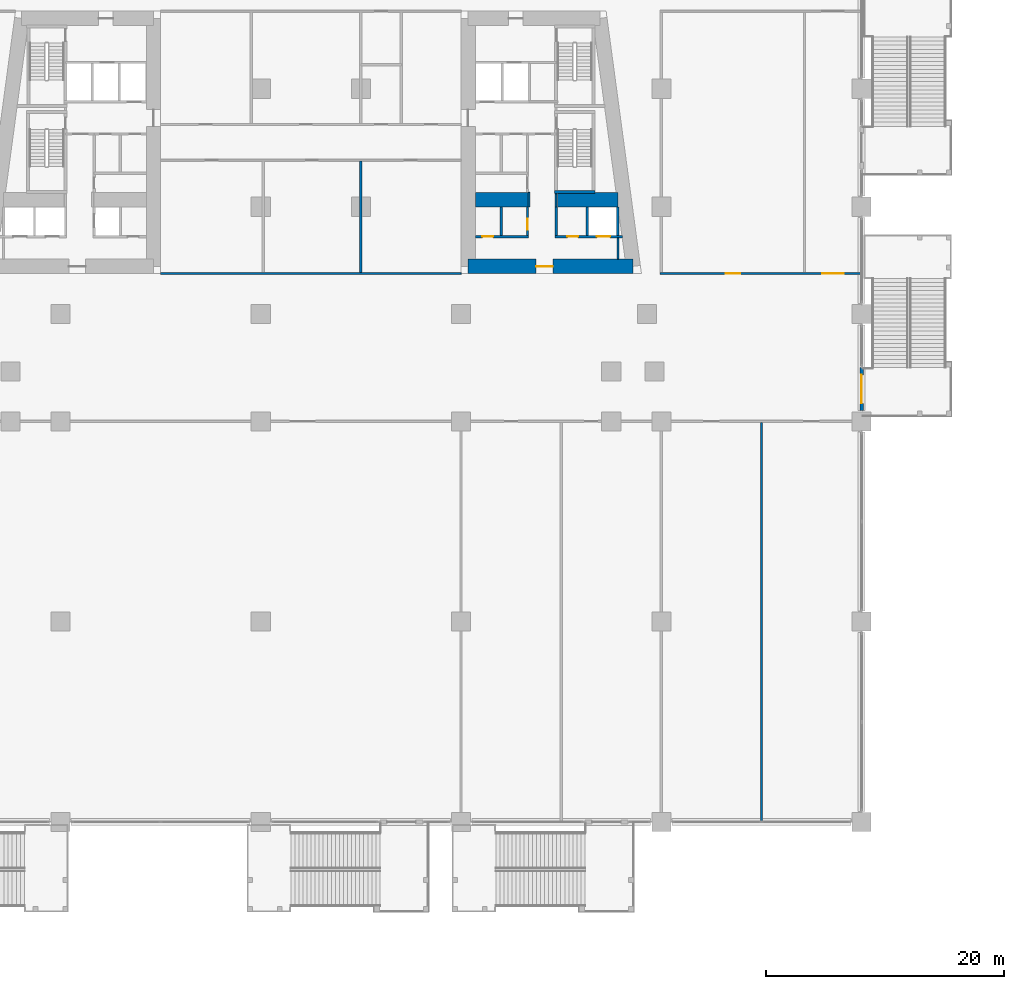
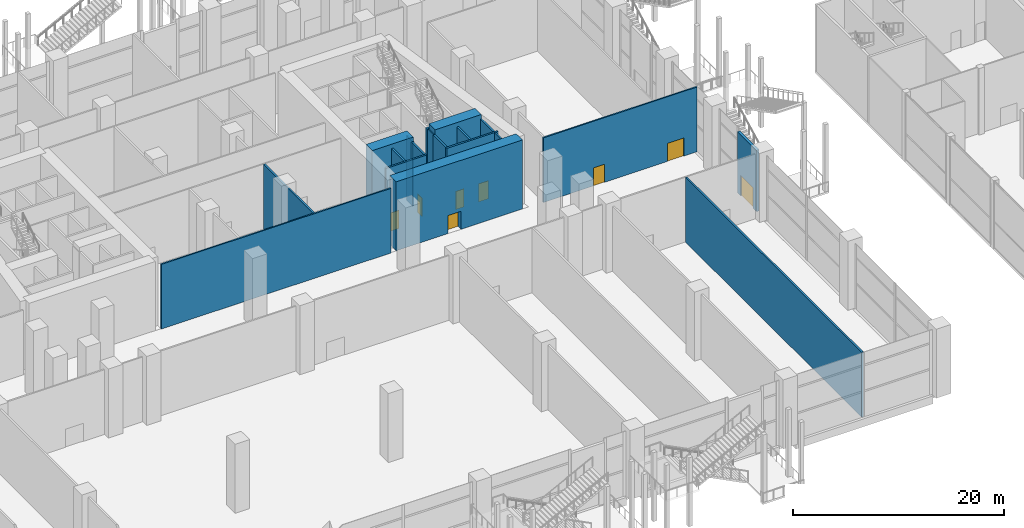
# One storey, part 26 of 52: 19 walls, 8 doors, 8 openings.
"""IFC4 building model written with IfcOpenShell, lengths in metres."""

from ifc_helpers import new_model, si_unit, direction, frame, frame_2d, origin, place, context, subcontext, project, spatial, rectangle, extrude, material, layer, layer_set, type_object, element, fill, save


model = new_model("IFC4")

# Units and contexts
model_context = context("Model", 3, precision=1e-05, world=origin(), true_north=direction((0.0, 1.0)))
body_context = subcontext(model_context, "Body", "Model", "MODEL_VIEW")
ifc_project = project(units=[si_unit("LENGTHUNIT", "METRE"), si_unit("AREAUNIT", "SQUARE_METRE"), si_unit("VOLUMEUNIT", "CUBIC_METRE"), si_unit("PLANEANGLEUNIT", "RADIAN"), si_unit("MASSUNIT", "GRAM", prefix="KILO")], contexts=[model_context])

# Site, building, storey
site_placement = place(None, origin())
site = spatial("IfcSite", under=ifc_project, at=site_placement, CompositionType="ELEMENT")
building_placement = place(site_placement, origin())
building = spatial("IfcBuilding", under=site, at=building_placement, Name="Candeia Pilgrim Tower and Theatre", CompositionType="ELEMENT")
storey_placement = place(building_placement, frame((0.0, 0.0, 9.0)))
storey = spatial("IfcBuildingStorey", under=building, at=storey_placement, Name="L01", CompositionType="ELEMENT", Elevation=9.0)

# Wall, opening, door
ifc_material_1 = material(Name="Concrete C80/95", Category="concrete")
ifc_layer_1 = layer(ifc_material_1, 1.199951171875)
ifc_layer_set_1 = layer_set([ifc_layer_1], Name="Core wall 1200 C80/95")
wall_type_1 = type_object("IfcWallType", Name="Core wall 1200 C80/95", PredefinedType="SHEAR", material=ifc_layer_set_1)
wall_1_placement = place(storey_placement, frame((140.444580078125, 111.0, 0.0), z_axis=(0.0, 0.0, 1.0), x_axis=(-1.0, 0.0, 0.0)))
wall_1 = element("IfcWall", 1, at=wall_1_placement, inside=storey, type_object=wall_type_1, Name="Core wall E3", PredefinedType="SHEAR", context=body_context, shape_type="SweptSolid", body=[
    extrude(rectangle(XDim=13.844482421875, YDim=1.199951171875, at=frame_2d((6.92236328125, 0.0))), origin(), (0.0, 0.0, 1.0), 8.0),
])
opening_1_placement = place(wall_1_placement, frame((6.751220703125, 0.0, 0.0)))
opening_1 = element("IfcOpeningElement", 2, at=opening_1_placement, cuts=wall_1, Name="Opening L01-D051", PredefinedType="OPENING", context=body_context, shape_type="SweptSolid", body=[
    extrude(rectangle(XDim=1.39990234375, YDim=2.10009765625, at=frame_2d((0.699951171875, 1.050048828125))), frame((0.0, 0.60986328125, 0.0), z_axis=(0.0, -1.0, 0.0), x_axis=(1.0, 0.0, 0.0)), (0.0, 0.0, 1.0), 1.219970703125),
])
ifc_material_2 = material(Name="Steel fire door set", Category="steel")
door_type_1 = type_object("IfcDoorType", Name="D-1400-FD60", OperationType="NOTDEFINED", PredefinedType="DOOR", material=ifc_material_2)
door_1_placement = place(opening_1_placement, origin())
door_1 = element("IfcDoor", 3, at=door_1_placement, inside=storey, type_object=door_type_1, Name="Door L01-D051", OperationType="SINGLE_SWING_RIGHT", OverallHeight=2.10009765625, OverallWidth=1.39990234375, PredefinedType="DOOR", context=body_context, shape_type="SweptSolid", body=[
    extrude(rectangle(XDim=1.39990234375, YDim=2.10009765625, at=frame_2d((0.699951171875, 1.050048828125))), frame((0.0, 0.02490234375, 0.0), z_axis=(0.0, -1.0, 0.0), x_axis=(1.0, 0.0, 0.0)), (0.0, 0.0, 1.0), 0.050048828125),
])
fill(opening_1, door_1)

# Walls
wall_2_placement = place(storey_placement, frame((127.199951171875, 116.60009765625, 0.0), z_axis=(0.0, 0.0, 1.0), x_axis=(1.0, 0.0, 0.0)))
element("IfcWall", 4, at=wall_2_placement, inside=storey, type_object=wall_type_1, Name="Core wall E5", PredefinedType="SHEAR", context=body_context, shape_type="SweptSolid", body=[
    extrude(rectangle(XDim=4.5, YDim=1.199951171875, at=frame_2d((2.25, 0.0))), origin(), (0.0, 0.0, 1.0), 8.0),
])
wall_3_placement = place(storey_placement, frame((134.10009765625, 116.60009765625, 0.0), z_axis=(0.0, 0.0, 1.0), x_axis=(1.0, 0.0, 0.0)))
element("IfcWall", 5, at=wall_3_placement, inside=storey, type_object=wall_type_1, Name="Core wall E6", PredefinedType="SHEAR", context=body_context, shape_type="SweptSolid", body=[
    extrude(rectangle(XDim=5.076904296875, YDim=1.199951171875, at=frame_2d((2.53857421875, 0.0))), origin(), (0.0, 0.0, 1.0), 8.0),
])

# Wall, opening, door
ifc_material_3 = material(Name="Ceramic block masonry", Category="masonry")
ifc_layer_2 = layer(ifc_material_3, 0.300048828125)
ifc_layer_set_2 = layer_set([ifc_layer_2], Name="EW2 entrance infill wall 300")
wall_type_2 = type_object("IfcWallType", Name="EW2 entrance infill wall 300", PredefinedType="SOLIDWALL", material=ifc_layer_set_2)
wall_4_placement = place(storey_placement, frame((159.60009765625, 102.5, 0.0), z_axis=(0.0, 0.0, 1.0), x_axis=(0.0, -1.0, 0.0)))
wall_4 = element("IfcWall", 6, at=wall_4_placement, inside=storey, type_object=wall_type_2, Name="Entrance wall L01", PredefinedType="SOLIDWALL", context=body_context, shape_type="SweptSolid", body=[
    extrude(rectangle(XDim=3.60009765625, YDim=0.300048828125, at=frame_2d((1.800048828125, 0.0))), origin(), (0.0, 0.0, 1.0), 7.10009765625),
])
opening_2_placement = place(wall_4_placement, frame((0.60009765625, 0.0, 0.0)))
opening_2 = element("IfcOpeningElement", 7, at=opening_2_placement, cuts=wall_4, Name="Opening L01-ED039", PredefinedType="OPENING", context=body_context, shape_type="SweptSolid", body=[
    extrude(rectangle(XDim=2.39990234375, YDim=2.39990234375, at=frame_2d((1.199951171875, 1.199951171875))), frame((0.0, 0.16015625, 0.0), z_axis=(0.0, -1.0, 0.0), x_axis=(1.0, 0.0, 0.0)), (0.0, 0.0, 1.0), 0.320068359375),
])
ifc_material_4 = material(Name="Aluminium framed glazed door", Category="aluminium")
door_type_2 = type_object("IfcDoorType", Name="ED entrance double door 2400x2400", OperationType="DOUBLE_DOOR_DOUBLE_SWING", PredefinedType="DOOR", material=ifc_material_4)
door_2_placement = place(opening_2_placement, origin())
door_2 = element("IfcDoor", 8, at=door_2_placement, inside=storey, type_object=door_type_2, Name="Entrance door L01-ED039", OperationType="DOUBLE_DOOR_DOUBLE_SWING", OverallHeight=2.39990234375, OverallWidth=2.39990234375, PredefinedType="DOOR", context=body_context, shape_type="SweptSolid", body=[
    extrude(rectangle(XDim=2.39990234375, YDim=2.39990234375, at=frame_2d((1.199951171875, 1.199951171875))), frame((0.0, 0.02490234375, 0.0), z_axis=(0.0, -1.0, 0.0), x_axis=(1.0, 0.0, 0.0)), (0.0, 0.0, 1.0), 0.050048828125),
])
fill(opening_2, door_2)

# Wall
ifc_material_5 = material(Name="Gypsum board partition on steel studs", Category="steel")
ifc_layer_3 = layer(ifc_material_5, 0.14990234375)
ifc_layer_set_3 = layer_set([ifc_layer_3], Name="PW-150 lobby wall")
wall_type_3 = type_object("IfcWallType", Name="PW-150 lobby wall", PredefinedType="PARTITIONING", material=ifc_layer_set_3)
wall_5_placement = place(storey_placement, frame((100.800048828125, 110.39990234375, 0.0), z_axis=(0.0, 0.0, 1.0), x_axis=(1.0, 0.0, 0.0)))
element("IfcWall", 9, at=wall_5_placement, inside=storey, type_object=wall_type_3, Name="Lobby wall L01-003", PredefinedType="PARTITIONING", context=body_context, shape_type="SweptSolid", body=[
    extrude(rectangle(XDim=25.199951171875, YDim=0.14990234375, at=frame_2d((12.60009765625, 0.0))), origin(), (0.0, 0.0, 1.0), 7.5),
])

# Wall, openings, doors
wall_6_placement = place(storey_placement, frame((142.699951171875, 110.39990234375, 0.0), z_axis=(0.0, 0.0, 1.0), x_axis=(1.0, 0.0, 0.0)))
wall_6 = element("IfcWall", 10, at=wall_6_placement, inside=storey, type_object=wall_type_3, Name="Lobby wall L01-004", PredefinedType="PARTITIONING", context=body_context, shape_type="SweptSolid", body=[
    extrude(rectangle(XDim=16.85009765625, YDim=0.14990234375, at=frame_2d((8.425048828125, 0.0))), origin(), (0.0, 0.0, 1.0), 7.5),
])
opening_3_placement = place(wall_6_placement, frame((5.5, 0.0, 0.0)))
opening_3 = element("IfcOpeningElement", 11, at=opening_3_placement, cuts=wall_6, Name="Opening L01-D011", PredefinedType="OPENING", context=body_context, shape_type="SweptSolid", body=[
    extrude(rectangle(XDim=1.199951171875, YDim=2.10009765625, at=frame_2d((0.60009765625, 1.050048828125))), frame((0.0, 0.0849609375, 0.0), z_axis=(0.0, -1.0, 0.0), x_axis=(1.0, 0.0, 0.0)), (0.0, 0.0, 1.0), 0.169921875),
])
opening_4_placement = place(wall_6_placement, frame((13.60009765625, 0.0, 0.0)))
opening_4 = element("IfcOpeningElement", 12, at=opening_4_placement, cuts=wall_6, Name="Opening L01-D030", PredefinedType="OPENING", context=body_context, shape_type="SweptSolid", body=[
    extrude(rectangle(XDim=1.800048828125, YDim=2.10009765625, at=frame_2d((0.89990234375, 1.050048828125))), frame((0.0, 0.0849609375, 0.0), z_axis=(0.0, -1.0, 0.0), x_axis=(1.0, 0.0, 0.0)), (0.0, 0.0, 1.0), 0.169921875),
])
door_type_3 = type_object("IfcDoorType", Name="D-1200-FD30S", OperationType="NOTDEFINED", PredefinedType="DOOR", material=ifc_material_2)
door_3_placement = place(opening_3_placement, origin())
door_3 = element("IfcDoor", 13, at=door_3_placement, inside=storey, type_object=door_type_3, Name="Door L01-D011", OperationType="SINGLE_SWING_RIGHT", OverallHeight=2.10009765625, OverallWidth=1.199951171875, PredefinedType="DOOR", context=body_context, shape_type="SweptSolid", body=[
    extrude(rectangle(XDim=1.199951171875, YDim=2.10009765625, at=frame_2d((0.60009765625, 1.050048828125))), frame((0.0, 0.02490234375, 0.0), z_axis=(0.0, -1.0, 0.0), x_axis=(1.0, 0.0, 0.0)), (0.0, 0.0, 1.0), 0.050048828125),
])
fill(opening_3, door_3)
door_type_4 = type_object("IfcDoorType", Name="D-1800-FD60", OperationType="NOTDEFINED", PredefinedType="DOOR", material=ifc_material_2)
door_4_placement = place(opening_4_placement, origin())
door_4 = element("IfcDoor", 14, at=door_4_placement, inside=storey, type_object=door_type_4, Name="Door L01-D030", OperationType="SINGLE_SWING_LEFT", OverallHeight=2.10009765625, OverallWidth=1.800048828125, PredefinedType="DOOR", context=body_context, shape_type="SweptSolid", body=[
    extrude(rectangle(XDim=1.800048828125, YDim=2.10009765625, at=frame_2d((0.89990234375, 1.050048828125))), frame((0.0, 0.02490234375, 0.0), z_axis=(0.0, -1.0, 0.0), x_axis=(1.0, 0.0, 0.0)), (0.0, 0.0, 1.0), 0.050048828125),
])
fill(opening_4, door_4)

# Walls
wall_7_placement = place(storey_placement, frame((131.699951171875, 116.0, 0.0), z_axis=(0.0, 0.0, 1.0), x_axis=(0.0, 1.0, 0.0)))
element("IfcWall", 15, at=wall_7_placement, inside=storey, type_object=wall_type_3, Name="Lobby wall L01-082", PredefinedType="PARTITIONING", context=body_context, shape_type="SweptSolid", body=[
    extrude(rectangle(XDim=1.199951171875, YDim=0.14990234375, at=frame_2d((0.60009765625, 0.0))), origin(), (0.0, 0.0, 1.0), 7.5),
])
wall_8_placement = place(storey_placement, frame((133.972900390625, 116.0, 0.0), z_axis=(0.0, 0.0, 1.0), x_axis=(0.0, 1.0, 0.0)))
element("IfcWall", 16, at=wall_8_placement, inside=storey, type_object=wall_type_3, Name="Lobby wall L01-085", PredefinedType="PARTITIONING", context=body_context, shape_type="SweptSolid", body=[
    extrude(rectangle(XDim=1.074951171875, YDim=0.14990234375, at=frame_2d((0.53759765625, 0.0))), origin(), (0.0, 0.0, 1.0), 7.5),
])
wall_9_placement = place(storey_placement, frame((139.1689453125, 111.60009765625, 0.0), z_axis=(0.0, 0.0, 1.0), x_axis=(0.0, 1.0, 0.0)))
element("IfcWall", 17, at=wall_9_placement, inside=storey, type_object=wall_type_3, Name="Lobby wall L01-094", PredefinedType="PARTITIONING", context=body_context, shape_type="SweptSolid", body=[
    extrude(rectangle(XDim=1.7998046875, YDim=0.14990234375, at=frame_2d((0.89990234375, 0.0))), origin(), (0.0, 0.0, 1.0), 7.5),
])
ifc_layer_4 = layer(ifc_material_5, 0.199951171875)
ifc_layer_set_4 = layer_set([ifc_layer_4], Name="PW-200 party wall")
wall_type_4 = type_object("IfcWallType", Name="PW-200 party wall", PredefinedType="PARTITIONING", material=ifc_layer_set_4)
wall_10_placement = place(storey_placement, frame((117.60009765625, 110.47509765625, 0.0), z_axis=(0.0, 0.0, 1.0), x_axis=(0.0, 1.0, 0.0)))
element("IfcWall", 18, at=wall_10_placement, inside=storey, type_object=wall_type_4, Name="Party wall L01-072", PredefinedType="PARTITIONING", context=body_context, shape_type="SweptSolid", body=[
    extrude(rectangle(XDim=9.349853515625, YDim=0.199951171875, at=frame_2d((4.6748046875, 0.0))), origin(), (0.0, 0.0, 1.0), 7.5),
])
wall_11_placement = place(storey_placement, frame((151.199951171875, 64.449951171875, 0.0), z_axis=(0.0, 0.0, 1.0), x_axis=(0.0, 1.0, 0.0)))
element("IfcWall", 19, at=wall_11_placement, inside=storey, type_object=wall_type_4, Name="Party wall L01-101", PredefinedType="PARTITIONING", context=body_context, shape_type="SweptSolid", body=[
    extrude(rectangle(XDim=33.47509765625, YDim=0.199951171875, at=frame_2d((16.737548828125, 0.0))), origin(), (0.0, 0.0, 1.0), 7.5),
])

# Wall, opening, door
ifc_material_6 = material(Name="Concrete C40/50", Category="concrete")
ifc_layer_5 = layer(ifc_material_6, 0.199951171875)
ifc_layer_set_5 = layer_set([ifc_layer_5], Name="SW-200 shaft wall")
wall_type_5 = type_object("IfcWallType", Name="SW-200 shaft wall", PredefinedType="PARTITIONING", material=ifc_layer_set_5)
wall_12_placement = place(storey_placement, frame((127.199951171875, 113.5, 0.0), z_axis=(0.0, 0.0, 1.0), x_axis=(1.0, 0.0, 0.0)))
wall_12 = element("IfcWall", 20, at=wall_12_placement, inside=storey, type_object=wall_type_5, Name="Shaft wall L01-007", PredefinedType="PARTITIONING", context=body_context, shape_type="SweptSolid", body=[
    extrude(rectangle(XDim=4.47314453125, YDim=0.199951171875, at=frame_2d((2.236572265625, 0.0))), origin(), (0.0, 0.0, 1.0), 7.5),
])
opening_5_placement = place(wall_12_placement, frame((0.5849609375, 0.0, 0.0)))
opening_5 = element("IfcOpeningElement", 21, at=opening_5_placement, cuts=wall_12, Name="Opening L01-D047", PredefinedType="OPENING", context=body_context, shape_type="SweptSolid", body=[
    extrude(rectangle(XDim=0.89990234375, YDim=2.10009765625, at=frame_2d((0.449951171875, 1.050048828125))), frame((0.0, 0.10986328125, 0.0), z_axis=(0.0, -1.0, 0.0), x_axis=(1.0, 0.0, 0.0)), (0.0, 0.0, 1.0), 0.219970703125),
])
door_type_5 = type_object("IfcDoorType", Name="D-900-FD60", OperationType="NOTDEFINED", PredefinedType="DOOR", material=ifc_material_2)
door_5_placement = place(opening_5_placement, origin())
door_5 = element("IfcDoor", 22, at=door_5_placement, inside=storey, type_object=door_type_5, Name="Door L01-D047", OperationType="SINGLE_SWING_RIGHT", OverallHeight=2.10009765625, OverallWidth=0.89990234375, PredefinedType="DOOR", context=body_context, shape_type="SweptSolid", body=[
    extrude(rectangle(XDim=0.89990234375, YDim=2.10009765625, at=frame_2d((0.449951171875, 1.050048828125))), frame((0.0, 0.02490234375, 0.0), z_axis=(0.0, -1.0, 0.0), x_axis=(1.0, 0.0, 0.0)), (0.0, 0.0, 1.0), 0.050048828125),
])
fill(opening_5, door_5)

# Wall, openings, doors
wall_13_placement = place(storey_placement, frame((133.873046875, 113.5, 0.0), z_axis=(0.0, 0.0, 1.0), x_axis=(1.0, 0.0, 0.0)))
wall_13 = element("IfcWall", 23, at=wall_13_placement, inside=storey, type_object=wall_type_5, Name="Shaft wall L01-008", PredefinedType="PARTITIONING", context=body_context, shape_type="SweptSolid", body=[
    extrude(rectangle(XDim=5.65966796875, YDim=0.199951171875, at=frame_2d((2.829833984375, 0.0))), origin(), (0.0, 0.0, 1.0), 7.5),
])
opening_6_placement = place(wall_13_placement, frame((3.527099609375, 0.0, 0.0)))
opening_6 = element("IfcOpeningElement", 24, at=opening_6_placement, cuts=wall_13, Name="Opening L01-LD08", PredefinedType="OPENING", context=body_context, shape_type="SweptSolid", body=[
    extrude(rectangle(XDim=1.10009765625, YDim=2.10009765625, at=frame_2d((0.550048828125, 1.050048828125))), frame((0.0, 0.10986328125, 0.0), z_axis=(0.0, -1.0, 0.0), x_axis=(1.0, 0.0, 0.0)), (0.0, 0.0, 1.0), 0.219970703125),
])
opening_7_placement = place(wall_13_placement, frame((1.049072265625, 0.0, 0.0)))
opening_7 = element("IfcOpeningElement", 25, at=opening_7_placement, cuts=wall_13, Name="Opening L01-D045", PredefinedType="OPENING", context=body_context, shape_type="SweptSolid", body=[
    extrude(rectangle(XDim=0.89990234375, YDim=2.10009765625, at=frame_2d((0.449951171875, 1.050048828125))), frame((0.0, 0.10986328125, 0.0), z_axis=(0.0, -1.0, 0.0), x_axis=(1.0, 0.0, 0.0)), (0.0, 0.0, 1.0), 0.219970703125),
])
door_6_placement = place(opening_7_placement, origin())
door_6 = element("IfcDoor", 26, at=door_6_placement, inside=storey, type_object=door_type_5, Name="Door L01-D045", OperationType="SINGLE_SWING_RIGHT", OverallHeight=2.10009765625, OverallWidth=0.89990234375, PredefinedType="DOOR", context=body_context, shape_type="SweptSolid", body=[
    extrude(rectangle(XDim=0.89990234375, YDim=2.10009765625, at=frame_2d((0.449951171875, 1.050048828125))), frame((0.0, 0.02490234375, 0.0), z_axis=(0.0, -1.0, 0.0), x_axis=(1.0, 0.0, 0.0)), (0.0, 0.0, 1.0), 0.050048828125),
])
fill(opening_7, door_6)
ifc_material_7 = material(Name="Glazed aluminium landing door", Category="aluminium")
door_type_6 = type_object("IfcDoorType", Name="LD-1100-EI120", OperationType="SLIDING_TO_LEFT", PredefinedType="DOOR", material=ifc_material_7)
door_7_placement = place(opening_6_placement, origin())
door_7 = element("IfcDoor", 27, at=door_7_placement, inside=storey, type_object=door_type_6, Name="Landing door 08 L01", OperationType="SLIDING_TO_LEFT", OverallHeight=2.10009765625, OverallWidth=1.10009765625, PredefinedType="DOOR", context=body_context, shape_type="SweptSolid", body=[
    extrude(rectangle(XDim=1.10009765625, YDim=2.10009765625, at=frame_2d((0.550048828125, 1.050048828125))), frame((0.0, 0.02490234375, 0.0), z_axis=(0.0, -1.0, 0.0), x_axis=(1.0, 0.0, 0.0)), (0.0, 0.0, 1.0), 0.050048828125),
])
fill(opening_6, door_7)

# Wall
wall_14_placement = place(storey_placement, frame((129.386474609375, 113.60009765625, 0.0), z_axis=(0.0, 0.0, 1.0), x_axis=(0.0, 1.0, 0.0)))
element("IfcWall", 28, at=wall_14_placement, inside=storey, type_object=wall_type_5, Name="Shaft wall L01-077", PredefinedType="PARTITIONING", context=body_context, shape_type="SweptSolid", body=[
    extrude(rectangle(XDim=2.39990234375, YDim=0.199951171875, at=frame_2d((1.199951171875, 0.0))), origin(), (0.0, 0.0, 1.0), 7.5),
])

# Wall, opening, door
wall_15_placement = place(storey_placement, frame((131.572998046875, 113.60009765625, 0.0), z_axis=(0.0, 0.0, 1.0), x_axis=(0.0, 1.0, 0.0)))
wall_15 = element("IfcWall", 29, at=wall_15_placement, inside=storey, type_object=wall_type_5, Name="Shaft wall L01-080", PredefinedType="PARTITIONING", context=body_context, shape_type="SweptSolid", body=[
    extrude(rectangle(XDim=2.39990234375, YDim=0.199951171875, at=frame_2d((1.199951171875, 0.0))), origin(), (0.0, 0.0, 1.0), 7.5),
])
opening_8_placement = place(wall_15_placement, frame((0.47509765625, 0.0, 0.0)))
opening_8 = element("IfcOpeningElement", 30, at=opening_8_placement, cuts=wall_15, Name="Opening L01-D046", PredefinedType="OPENING", context=body_context, shape_type="SweptSolid", body=[
    extrude(rectangle(XDim=0.89990234375, YDim=2.10009765625, at=frame_2d((0.449951171875, 1.050048828125))), frame((0.0, 0.10986328125, 0.0), z_axis=(0.0, -1.0, 0.0), x_axis=(1.0, 0.0, 0.0)), (0.0, 0.0, 1.0), 0.219970703125),
])
door_8_placement = place(opening_8_placement, origin())
door_8 = element("IfcDoor", 31, at=door_8_placement, inside=storey, type_object=door_type_5, Name="Door L01-D046", OperationType="SINGLE_SWING_LEFT", OverallHeight=2.10009765625, OverallWidth=0.89990234375, PredefinedType="DOOR", context=body_context, shape_type="SweptSolid", body=[
    extrude(rectangle(XDim=0.89990234375, YDim=2.10009765625, at=frame_2d((0.449951171875, 1.050048828125))), frame((0.0, 0.02490234375, 0.0), z_axis=(0.0, -1.0, 0.0), x_axis=(1.0, 0.0, 0.0)), (0.0, 0.0, 1.0), 0.050048828125),
])
fill(opening_8, door_8)

# Walls
for number, where, z_axis, x_axis, name in (
    (32, (133.972900390625, 113.60009765625, 0.0), (0.0, 0.0, 1.0), (0.0, 1.0, 0.0), "Shaft wall L01-084"),
    (33, (136.571044921875, 113.60009765625, 0.0), (0.0, 0.0, 1.0), (0.0, 1.0, 0.0), "Shaft wall L01-090"),
    (34, (139.14697265625, 113.60009765625, 0.0), (0.0, 0.0, 1.0), (0.0, 1.0, 0.0), "Shaft wall L01-093"),
):
    element("IfcWall", number, at=place(storey_placement, frame(where, z_axis=z_axis, x_axis=x_axis)), inside=storey, type_object=wall_type_5, Name=name, PredefinedType="PARTITIONING", context=body_context, shape_type="SweptSolid", body=[
        extrude(rectangle(XDim=2.39990234375, YDim=0.199951171875, at=frame_2d((1.199951171875, 0.0))), origin(), (0.0, 0.0, 1.0), 7.5),
    ])
ifc_layer_6 = layer(ifc_material_6, 0.25)
ifc_layer_set_6 = layer_set([ifc_layer_6], Name="SW-250 stair wall")
wall_type_6 = type_object("IfcWallType", Name="SW-250 stair wall", PredefinedType="PARTITIONING", material=ifc_layer_set_6)
wall_16_placement = place(storey_placement, frame((133.847900390625, 117.2451171875, 0.0), z_axis=(0.0, 0.0, 1.0), x_axis=(1.0, 0.0, 0.0)))
element("IfcWall", 35, at=wall_16_placement, inside=storey, type_object=wall_type_6, Name="Stair wall L01-010", PredefinedType="PARTITIONING", context=body_context, shape_type="SweptSolid", body=[
    extrude(rectangle(XDim=3.400146484375, YDim=0.25, at=frame_2d((1.7001953125, 0.0))), origin(), (0.0, 0.0, 1.0), 7.5),
])

save(model, "model.ifc")
